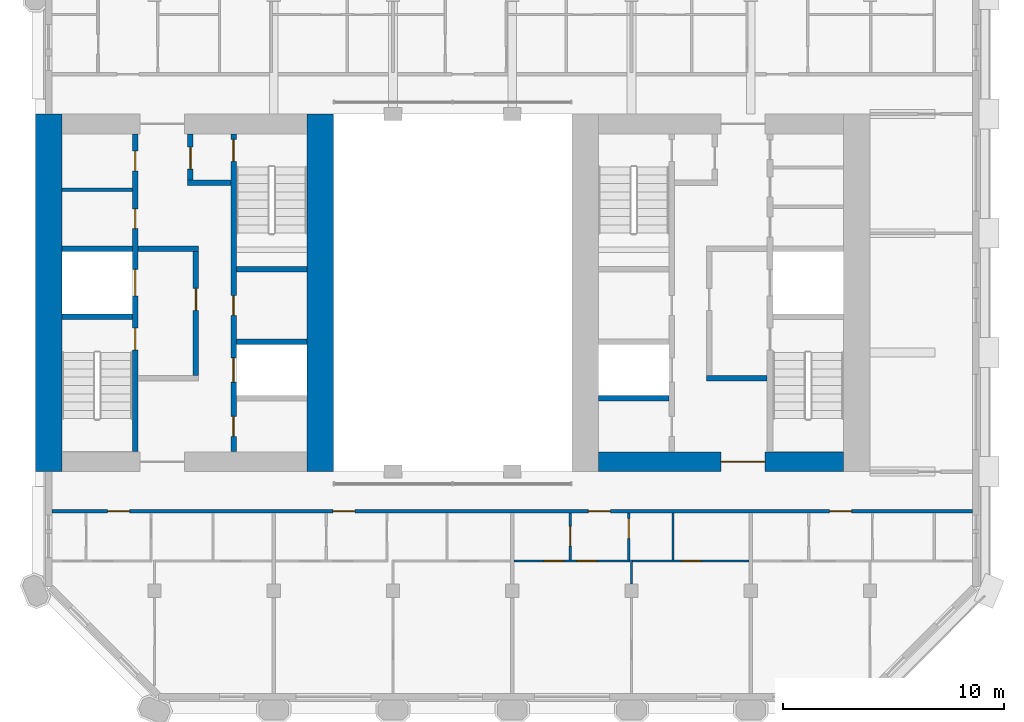
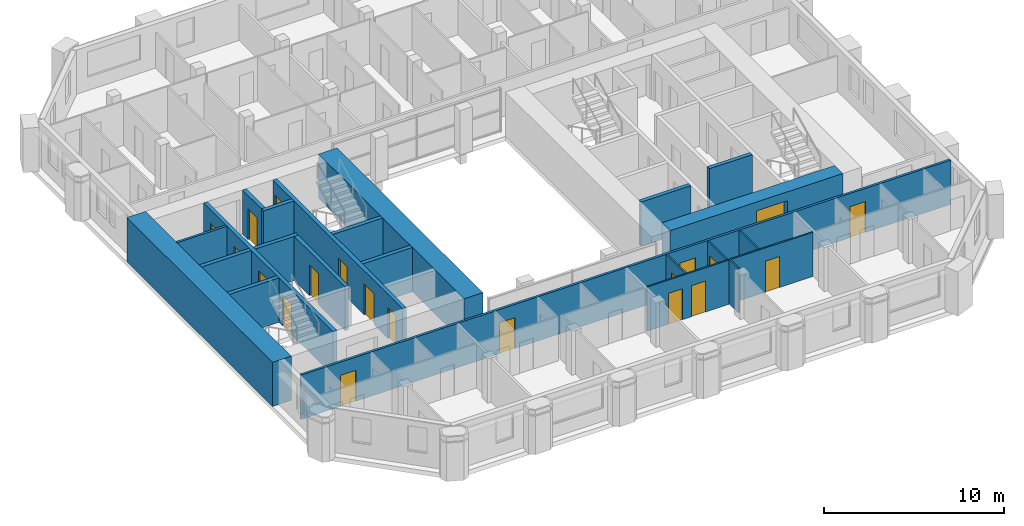
# One storey, part 5 of 13: 23 walls, 20 doors, 20 openings.
"""IFC4 building model written with IfcOpenShell, lengths in metres."""

from ifc_helpers import new_model, si_unit, direction, frame, frame_2d, origin, place, context, subcontext, project, spatial, rectangle, extrude, material, layer, layer_set, type_object, element, fill, save


model = new_model("IFC4")

# Units and contexts
model_context = context("Model", 3, precision=1e-05, world=origin(), true_north=direction((0.0, 1.0)))
body_context = subcontext(model_context, "Body", "Model", "MODEL_VIEW")
ifc_project = project(units=[si_unit("LENGTHUNIT", "METRE"), si_unit("AREAUNIT", "SQUARE_METRE"), si_unit("VOLUMEUNIT", "CUBIC_METRE"), si_unit("PLANEANGLEUNIT", "RADIAN"), si_unit("MASSUNIT", "GRAM", prefix="KILO")], contexts=[model_context])

# Site, building, storey
site_placement = place(None, origin())
site = spatial("IfcSite", under=ifc_project, at=site_placement, CompositionType="ELEMENT")
building_placement = place(site_placement, origin())
building = spatial("IfcBuilding", under=site, at=building_placement, Name="Tabaq Tower and Sports Hall", CompositionType="ELEMENT")
storey_placement = place(building_placement, frame((0.0, 0.0, 298.300048828125)))
storey = spatial("IfcBuildingStorey", under=building, at=storey_placement, Name="L74", CompositionType="ELEMENT", Elevation=298.300048828125)

# Walls
ifc_material_1 = material(Name="Blockwork", Category="masonry")
ifc_layer_1 = layer(ifc_material_1, 0.14990234375)
ifc_layer_set_1 = layer_set([ifc_layer_1], Name="Core room partition 150 Blockwork")
wall_type_1 = type_object("IfcWallType", Name="Core room partition 150 Blockwork", PredefinedType="PARTITIONING", material=ifc_layer_set_1)
wall_1_placement = place(storey_placement, frame((6.60009765625, 28.962890625, 0.0), z_axis=(0.0, 0.0, 1.0), x_axis=(1.0, 0.0, 0.0)))
element("IfcWall", 1, at=wall_1_placement, inside=storey, type_object=wall_type_1, Name="Core room partition W L74", PredefinedType="PARTITIONING", context=body_context, shape_type="SweptSolid", body=[
    extrude(rectangle(XDim=3.199951171875, YDim=0.14990234375, at=frame_2d((1.60009765625, 0.0))), origin(), (0.0, 0.0, 1.0), 3.0),
])
ifc_material_2 = material(Name="Concrete C40/50", Category="concrete")
ifc_layer_2 = layer(ifc_material_2, 1.199951171875)
ifc_layer_set_2 = layer_set([ifc_layer_2], Name="Core wall 1200 Concrete C40/50")
wall_type_2 = type_object("IfcWallType", Name="Core wall 1200 Concrete C40/50", PredefinedType="SOLIDWALL", material=ifc_layer_set_2)
for number, where, z_axis, x_axis, name in (
    (2, (6.0, 16.199951171875, 0.0), (0.0, 0.0, 1.0), (0.0, 1.0, 0.0), "Core wall W L74"),
    (3, (18.300048828125, 32.39990234375, 0.0), (0.0, 0.0, 1.0), (0.0, -1.0, 0.0), "Core wall W L74"),
):
    element("IfcWall", number, at=place(storey_placement, frame(where, z_axis=z_axis, x_axis=x_axis)), inside=storey, type_object=wall_type_2, Name=name, PredefinedType="SOLIDWALL", context=body_context, shape_type="SweptSolid", body=[
        extrude(rectangle(XDim=16.199951171875, YDim=1.199951171875, at=frame_2d((8.10009765625, 0.0))), origin(), (0.0, 0.0, 1.0), 3.0),
    ])

# Wall, opening, door
ifc_material_3 = material(Name="Concrete C40/50", Category="concrete")
ifc_layer_3 = layer(ifc_material_3, 0.89990234375)
ifc_layer_set_3 = layer_set([ifc_layer_3], Name="Core wall 900 Concrete C40/50")
wall_type_3 = type_object("IfcWallType", Name="Core wall 900 Concrete C40/50", PredefinedType="SOLIDWALL", material=ifc_layer_set_3)
wall_2_placement = place(storey_placement, frame((42.0, 16.64990234375, 0.0), z_axis=(0.0, 0.0, 1.0), x_axis=(-1.0, 0.0, 0.0)))
wall_2 = element("IfcWall", 4, at=wall_2_placement, inside=storey, type_object=wall_type_3, Name="Core wall E L74", PredefinedType="SOLIDWALL", context=body_context, shape_type="SweptSolid", body=[
    extrude(rectangle(XDim=11.10009765625, YDim=0.89990234375, at=frame_2d((5.550048828125, 0.0))), origin(), (0.0, 0.0, 1.0), 3.0),
])
opening_1_placement = place(wall_2_placement, frame((3.550048828125, 0.0, 0.0)))
opening_1 = element("IfcOpeningElement", 5, at=opening_1_placement, cuts=wall_2, Name="Opening PD-EL74-01", PredefinedType="OPENING", context=body_context, shape_type="SweptSolid", body=[
    extrude(rectangle(XDim=2.0, YDim=2.39990234375, at=frame_2d((1.0, 1.199951171875))), frame((0.0, 0.449951171875, 0.0), z_axis=(0.0, -1.0, 0.0), x_axis=(1.0, 0.0, 0.0)), (0.0, 0.0, 1.0), 0.89990234375),
])
ifc_material_4 = material(Name="Steel fire door", Category="steel")
door_type_1 = type_object("IfcDoorType", Name="Core entrance door 2000", OperationType="DOUBLE_DOOR_SINGLE_SWING", PredefinedType="DOOR", material=ifc_material_4)
door_1_placement = place(opening_1_placement, origin())
door_1 = element("IfcDoor", 6, at=door_1_placement, inside=storey, type_object=door_type_1, Name="Core entrance south E L74", OperationType="DOUBLE_DOOR_SINGLE_SWING", OverallHeight=2.39990234375, OverallWidth=2.0, PredefinedType="DOOR", context=body_context, shape_type="SweptSolid", body=[
    extrude(rectangle(XDim=2.0, YDim=2.39990234375, at=frame_2d((1.0, 1.199951171875))), frame((0.0, 0.02490234375, 0.0), z_axis=(0.0, -1.0, 0.0), x_axis=(1.0, 0.0, 0.0)), (0.0, 0.0, 1.0), 0.050048828125),
])
fill(opening_1, door_1)

# Wall
ifc_material_5 = material(Name="Gypsum board on steel studs", Category="steel")
ifc_layer_4 = layer(ifc_material_5, 0.10009765625)
ifc_layer_set_4 = layer_set([ifc_layer_4], Name="Partition 100 Gypsum board")
wall_type_4 = type_object("IfcWallType", Name="Partition 100 Gypsum board", PredefinedType="PARTITIONING", material=ifc_layer_set_4)
wall_3_placement = place(storey_placement, frame((32.39990234375, 11.1201171875, 0.0), z_axis=(0.0, 0.0, 1.0), x_axis=(0.0, 1.0, 0.0)))
element("IfcWall", 7, at=wall_3_placement, inside=storey, type_object=wall_type_4, Name="Partition wall L74", PredefinedType="PARTITIONING", context=body_context, shape_type="SweptSolid", body=[
    extrude(rectangle(XDim=1.079833984375, YDim=0.10009765625, at=frame_2d((0.5400390625, 0.0))), origin(), (0.0, 0.0, 1.0), 3.0),
])

# Wall, openings, doors
wall_4_placement = place(storey_placement, frame((32.324951171875, 12.14990234375, 0.0), z_axis=(0.0, 0.0, 1.0), x_axis=(-1.0, 0.0, 0.0)))
wall_4 = element("IfcWall", 8, at=wall_4_placement, inside=storey, type_object=wall_type_4, Name="Partition wall L74", PredefinedType="PARTITIONING", context=body_context, shape_type="SweptSolid", body=[
    extrude(rectangle(XDim=5.25, YDim=0.10009765625, at=frame_2d((2.625, 0.0))), origin(), (0.0, 0.0, 1.0), 3.0),
])
opening_2_placement = place(wall_4_placement, frame((3.0, 0.0, 0.0)))
opening_2 = element("IfcOpeningElement", 9, at=opening_2_placement, cuts=wall_4, Name="Opening L74-046", PredefinedType="OPENING", context=body_context, shape_type="SweptSolid", body=[
    extrude(rectangle(XDim=0.89990234375, YDim=2.10009765625, at=frame_2d((0.449951171875, 1.050048828125))), frame((0.0, 0.050048828125, 0.0), z_axis=(0.0, -1.0, 0.0), x_axis=(1.0, 0.0, 0.0)), (0.0, 0.0, 1.0), 0.10009765625),
])
opening_3_placement = place(wall_4_placement, frame((1.5, 0.0, 0.0)))
opening_3 = element("IfcOpeningElement", 10, at=opening_3_placement, cuts=wall_4, Name="Opening L74-057", PredefinedType="OPENING", context=body_context, shape_type="SweptSolid", body=[
    extrude(rectangle(XDim=0.89990234375, YDim=2.10009765625, at=frame_2d((0.449951171875, 1.050048828125))), frame((0.0, 0.050048828125, 0.0), z_axis=(0.0, -1.0, 0.0), x_axis=(1.0, 0.0, 0.0)), (0.0, 0.0, 1.0), 0.10009765625),
])
ifc_material_6 = material(Name="Timber leaf in steel frame", Category="steel")
door_type_2 = type_object("IfcDoorType", Name="Internal door 900 left hand", OperationType="SINGLE_SWING_LEFT", PredefinedType="DOOR", material=ifc_material_6)
door_2_placement = place(opening_3_placement, origin())
door_2 = element("IfcDoor", 11, at=door_2_placement, inside=storey, type_object=door_type_2, Name="Internal door L74-057", OperationType="SINGLE_SWING_LEFT", OverallHeight=2.10009765625, OverallWidth=0.89990234375, PredefinedType="DOOR", context=body_context, shape_type="SweptSolid", body=[
    extrude(rectangle(XDim=0.89990234375, YDim=2.10009765625, at=frame_2d((0.449951171875, 1.050048828125))), frame((0.0, 0.02490234375, 0.0), z_axis=(0.0, -1.0, 0.0), x_axis=(1.0, 0.0, 0.0)), (0.0, 0.0, 1.0), 0.050048828125),
])
fill(opening_3, door_2)
ifc_material_7 = material(Name="Timber leaf in steel frame", Category="steel")
door_type_3 = type_object("IfcDoorType", Name="Internal door 900 right hand", OperationType="SINGLE_SWING_RIGHT", PredefinedType="DOOR", material=ifc_material_7)
door_3_placement = place(opening_2_placement, origin())
door_3 = element("IfcDoor", 12, at=door_3_placement, inside=storey, type_object=door_type_3, Name="Internal door L74-046", OperationType="SINGLE_SWING_RIGHT", OverallHeight=2.10009765625, OverallWidth=0.89990234375, PredefinedType="DOOR", context=body_context, shape_type="SweptSolid", body=[
    extrude(rectangle(XDim=0.89990234375, YDim=2.10009765625, at=frame_2d((0.449951171875, 1.050048828125))), frame((0.0, 0.02490234375, 0.0), z_axis=(0.0, -1.0, 0.0), x_axis=(1.0, 0.0, 0.0)), (0.0, 0.0, 1.0), 0.050048828125),
])
fill(opening_2, door_3)

# Wall, opening, door
wall_5_placement = place(storey_placement, frame((37.72509765625, 12.14990234375, 0.0), z_axis=(0.0, 0.0, 1.0), x_axis=(-1.0, 0.0, 0.0)))
wall_5 = element("IfcWall", 13, at=wall_5_placement, inside=storey, type_object=wall_type_4, Name="Partition wall L74", PredefinedType="PARTITIONING", context=body_context, shape_type="SweptSolid", body=[
    extrude(rectangle(XDim=5.275146484375, YDim=0.10009765625, at=frame_2d((2.6376953125, 0.0))), origin(), (0.0, 0.0, 1.0), 3.0),
])
opening_4_placement = place(wall_5_placement, frame((2.155029296875, 0.0, 0.0)))
opening_4 = element("IfcOpeningElement", 14, at=opening_4_placement, cuts=wall_5, Name="Opening L74-023", PredefinedType="OPENING", context=body_context, shape_type="SweptSolid", body=[
    extrude(rectangle(XDim=0.89990234375, YDim=2.10009765625, at=frame_2d((0.449951171875, 1.050048828125))), frame((0.0, 0.050048828125, 0.0), z_axis=(0.0, -1.0, 0.0), x_axis=(1.0, 0.0, 0.0)), (0.0, 0.0, 1.0), 0.10009765625),
])
door_4_placement = place(opening_4_placement, origin())
door_4 = element("IfcDoor", 15, at=door_4_placement, inside=storey, type_object=door_type_2, Name="Internal door L74-023", OperationType="SINGLE_SWING_LEFT", OverallHeight=2.10009765625, OverallWidth=0.89990234375, PredefinedType="DOOR", context=body_context, shape_type="SweptSolid", body=[
    extrude(rectangle(XDim=0.89990234375, YDim=2.10009765625, at=frame_2d((0.449951171875, 1.050048828125))), frame((0.0, 0.02490234375, 0.0), z_axis=(0.0, -1.0, 0.0), x_axis=(1.0, 0.0, 0.0)), (0.0, 0.0, 1.0), 0.050048828125),
])
fill(opening_4, door_4)

wall_6_placement = place(storey_placement, frame((29.625, 12.199951171875, 0.0), z_axis=(0.0, 0.0, 1.0), x_axis=(0.0, 1.0, 0.0)))
wall_6 = element("IfcWall", 16, at=wall_6_placement, inside=storey, type_object=wall_type_4, Name="Partition wall L74", PredefinedType="PARTITIONING", context=body_context, shape_type="SweptSolid", body=[
    extrude(rectangle(XDim=2.125, YDim=0.10009765625, at=frame_2d((1.0625, 0.0))), origin(), (0.0, 0.0, 1.0), 3.0),
])
opening_5_placement = place(wall_6_placement, frame((0.625, 0.0, 0.0)))
opening_5 = element("IfcOpeningElement", 17, at=opening_5_placement, cuts=wall_6, Name="Opening L74-047", PredefinedType="OPENING", context=body_context, shape_type="SweptSolid", body=[
    extrude(rectangle(XDim=0.89990234375, YDim=2.10009765625, at=frame_2d((0.449951171875, 1.050048828125))), frame((0.0, 0.050048828125, 0.0), z_axis=(0.0, -1.0, 0.0), x_axis=(1.0, 0.0, 0.0)), (0.0, 0.0, 1.0), 0.10009765625),
])
door_5_placement = place(opening_5_placement, origin())
door_5 = element("IfcDoor", 18, at=door_5_placement, inside=storey, type_object=door_type_3, Name="Internal door L74-047", OperationType="SINGLE_SWING_RIGHT", OverallHeight=2.10009765625, OverallWidth=0.89990234375, PredefinedType="DOOR", context=body_context, shape_type="SweptSolid", body=[
    extrude(rectangle(XDim=0.89990234375, YDim=2.10009765625, at=frame_2d((0.449951171875, 1.050048828125))), frame((0.0, 0.02490234375, 0.0), z_axis=(0.0, -1.0, 0.0), x_axis=(1.0, 0.0, 0.0)), (0.0, 0.0, 1.0), 0.050048828125),
])
fill(opening_5, door_5)

wall_7_placement = place(storey_placement, frame((32.27490234375, 12.199951171875, 0.0), z_axis=(0.0, 0.0, 1.0), x_axis=(0.0, 1.0, 0.0)))
wall_7 = element("IfcWall", 19, at=wall_7_placement, inside=storey, type_object=wall_type_4, Name="Partition wall L74", PredefinedType="PARTITIONING", context=body_context, shape_type="SweptSolid", body=[
    extrude(rectangle(XDim=2.125, YDim=0.10009765625, at=frame_2d((1.0625, 0.0))), origin(), (0.0, 0.0, 1.0), 3.0),
])
opening_6_placement = place(wall_7_placement, frame((0.97509765625, 0.0, 0.0)))
opening_6 = element("IfcOpeningElement", 20, at=opening_6_placement, cuts=wall_7, Name="Opening L74-024", PredefinedType="OPENING", context=body_context, shape_type="SweptSolid", body=[
    extrude(rectangle(XDim=0.89990234375, YDim=2.10009765625, at=frame_2d((0.449951171875, 1.050048828125))), frame((0.0, 0.050048828125, 0.0), z_axis=(0.0, -1.0, 0.0), x_axis=(1.0, 0.0, 0.0)), (0.0, 0.0, 1.0), 0.10009765625),
])
door_6_placement = place(opening_6_placement, origin())
door_6 = element("IfcDoor", 21, at=door_6_placement, inside=storey, type_object=door_type_3, Name="Internal door L74-024", OperationType="SINGLE_SWING_RIGHT", OverallHeight=2.10009765625, OverallWidth=0.89990234375, PredefinedType="DOOR", context=body_context, shape_type="SweptSolid", body=[
    extrude(rectangle(XDim=0.89990234375, YDim=2.10009765625, at=frame_2d((0.449951171875, 1.050048828125))), frame((0.0, 0.02490234375, 0.0), z_axis=(0.0, -1.0, 0.0), x_axis=(1.0, 0.0, 0.0)), (0.0, 0.0, 1.0), 0.050048828125),
])
fill(opening_6, door_6)

# Wall
wall_8_placement = place(storey_placement, frame((34.285888671875, 12.199951171875, 0.0), z_axis=(0.0, 0.0, 1.0), x_axis=(0.0, 1.0, 0.0)))
element("IfcWall", 22, at=wall_8_placement, inside=storey, type_object=wall_type_4, Name="Partition wall L74", PredefinedType="PARTITIONING", context=body_context, shape_type="SweptSolid", body=[
    extrude(rectangle(XDim=2.125, YDim=0.10009765625, at=frame_2d((1.0625, 0.0))), origin(), (0.0, 0.0, 1.0), 3.0),
])

# Wall, openings, doors
ifc_material_8 = material(Name="Blockwork", Category="masonry")
ifc_layer_5 = layer(ifc_material_8, 0.14990234375)
ifc_layer_set_5 = layer_set([ifc_layer_5], Name="Separating wall 150 Blockwork")
wall_type_5 = type_object("IfcWallType", Name="Separating wall 150 Blockwork", PredefinedType="PARTITIONING", material=ifc_layer_set_5)
wall_9_placement = place(storey_placement, frame((47.84912109375, 14.39990234375, 0.0), z_axis=(0.0, 0.0, 1.0), x_axis=(-1.0, 0.0, 0.0)))
wall_9 = element("IfcWall", 23, at=wall_9_placement, inside=storey, type_object=wall_type_5, Name="Separating wall L74", PredefinedType="PARTITIONING", context=body_context, shape_type="SweptSolid", body=[
    extrude(rectangle(XDim=41.6982421875, YDim=0.14990234375, at=frame_2d((20.84912109375, 0.0))), origin(), (0.0, 0.0, 1.0), 3.0),
])
opening_7_placement = place(wall_9_placement, frame((38.178955078125, 0.0, 0.0)))
opening_7 = element("IfcOpeningElement", 24, at=opening_7_placement, cuts=wall_9, Name="Opening L74-060", PredefinedType="OPENING", context=body_context, shape_type="SweptSolid", body=[
    extrude(rectangle(XDim=1.0, YDim=2.10009765625, at=frame_2d((0.5, 1.050048828125))), frame((0.0, 0.074951171875, 0.0), z_axis=(0.0, -1.0, 0.0), x_axis=(1.0, 0.0, 0.0)), (0.0, 0.0, 1.0), 0.14990234375),
])
opening_8_placement = place(wall_9_placement, frame((27.97705078125, 0.0, 0.0)))
opening_8 = element("IfcOpeningElement", 25, at=opening_8_placement, cuts=wall_9, Name="Opening L74-061", PredefinedType="OPENING", context=body_context, shape_type="SweptSolid", body=[
    extrude(rectangle(XDim=1.0, YDim=2.10009765625, at=frame_2d((0.5, 1.050048828125))), frame((0.0, 0.074951171875, 0.0), z_axis=(0.0, -1.0, 0.0), x_axis=(1.0, 0.0, 0.0)), (0.0, 0.0, 1.0), 0.14990234375),
])
opening_9_placement = place(wall_9_placement, frame((16.39892578125, 0.0, 0.0)))
opening_9 = element("IfcOpeningElement", 26, at=opening_9_placement, cuts=wall_9, Name="Opening L74-062", PredefinedType="OPENING", context=body_context, shape_type="SweptSolid", body=[
    extrude(rectangle(XDim=1.0, YDim=2.10009765625, at=frame_2d((0.5, 1.050048828125))), frame((0.0, 0.074951171875, 0.0), z_axis=(0.0, -1.0, 0.0), x_axis=(1.0, 0.0, 0.0)), (0.0, 0.0, 1.0), 0.14990234375),
])
opening_10_placement = place(wall_9_placement, frame((5.47607421875, 0.0, 0.0)))
opening_10 = element("IfcOpeningElement", 27, at=opening_10_placement, cuts=wall_9, Name="Opening L74-063", PredefinedType="OPENING", context=body_context, shape_type="SweptSolid", body=[
    extrude(rectangle(XDim=1.0, YDim=2.10009765625, at=frame_2d((0.5, 1.050048828125))), frame((0.0, 0.074951171875, 0.0), z_axis=(0.0, -1.0, 0.0), x_axis=(1.0, 0.0, 0.0)), (0.0, 0.0, 1.0), 0.14990234375),
])
ifc_material_9 = material(Name="Steel fire door", Category="steel")
door_type_4 = type_object("IfcDoorType", Name="Entrance door 1000 left hand", OperationType="SINGLE_SWING_LEFT", PredefinedType="DOOR", material=ifc_material_9)
door_7_placement = place(opening_9_placement, origin())
door_7 = element("IfcDoor", 28, at=door_7_placement, inside=storey, type_object=door_type_4, Name="Entrance door L74-062", OperationType="SINGLE_SWING_LEFT", OverallHeight=2.10009765625, OverallWidth=1.0, PredefinedType="DOOR", context=body_context, shape_type="SweptSolid", body=[
    extrude(rectangle(XDim=1.0, YDim=2.10009765625, at=frame_2d((0.5, 1.050048828125))), frame((0.0, 0.02490234375, 0.0), z_axis=(0.0, -1.0, 0.0), x_axis=(1.0, 0.0, 0.0)), (0.0, 0.0, 1.0), 0.050048828125),
])
fill(opening_9, door_7)
door_8_placement = place(opening_10_placement, origin())
door_8 = element("IfcDoor", 29, at=door_8_placement, inside=storey, type_object=door_type_4, Name="Entrance door L74-063", OperationType="SINGLE_SWING_LEFT", OverallHeight=2.10009765625, OverallWidth=1.0, PredefinedType="DOOR", context=body_context, shape_type="SweptSolid", body=[
    extrude(rectangle(XDim=1.0, YDim=2.10009765625, at=frame_2d((0.5, 1.050048828125))), frame((0.0, 0.02490234375, 0.0), z_axis=(0.0, -1.0, 0.0), x_axis=(1.0, 0.0, 0.0)), (0.0, 0.0, 1.0), 0.050048828125),
])
fill(opening_10, door_8)
ifc_material_10 = material(Name="Steel fire door", Category="steel")
door_type_5 = type_object("IfcDoorType", Name="Entrance door 1000 right hand", OperationType="SINGLE_SWING_RIGHT", PredefinedType="DOOR", material=ifc_material_10)
door_9_placement = place(opening_7_placement, origin())
door_9 = element("IfcDoor", 30, at=door_9_placement, inside=storey, type_object=door_type_5, Name="Entrance door L74-060", OperationType="SINGLE_SWING_RIGHT", OverallHeight=2.10009765625, OverallWidth=1.0, PredefinedType="DOOR", context=body_context, shape_type="SweptSolid", body=[
    extrude(rectangle(XDim=1.0, YDim=2.10009765625, at=frame_2d((0.5, 1.050048828125))), frame((0.0, 0.02490234375, 0.0), z_axis=(0.0, -1.0, 0.0), x_axis=(1.0, 0.0, 0.0)), (0.0, 0.0, 1.0), 0.050048828125),
])
fill(opening_7, door_9)
door_10_placement = place(opening_8_placement, origin())
door_10 = element("IfcDoor", 31, at=door_10_placement, inside=storey, type_object=door_type_5, Name="Entrance door L74-061", OperationType="SINGLE_SWING_RIGHT", OverallHeight=2.10009765625, OverallWidth=1.0, PredefinedType="DOOR", context=body_context, shape_type="SweptSolid", body=[
    extrude(rectangle(XDim=1.0, YDim=2.10009765625, at=frame_2d((0.5, 1.050048828125))), frame((0.0, 0.02490234375, 0.0), z_axis=(0.0, -1.0, 0.0), x_axis=(1.0, 0.0, 0.0)), (0.0, 0.0, 1.0), 0.050048828125),
])
fill(opening_8, door_10)

ifc_material_11 = material(Name="Concrete C40/50", Category="concrete")
ifc_layer_6 = layer(ifc_material_11, 0.25)
ifc_layer_set_6 = layer_set([ifc_layer_6], Name="Shaft and stair wall 250 Concrete C40/50")
wall_type_6 = type_object("IfcWallType", Name="Shaft and stair wall 250 Concrete C40/50", PredefinedType="SOLIDWALL", material=ifc_layer_set_6)
wall_10_placement = place(storey_placement, frame((9.925048828125, 17.10009765625, 0.0), z_axis=(0.0, 0.0, 1.0), x_axis=(0.0, 1.0, 0.0)))
wall_10 = element("IfcWall", 32, at=wall_10_placement, inside=storey, type_object=wall_type_6, Name="Shaft wall W L74", PredefinedType="SOLIDWALL", context=body_context, shape_type="SweptSolid", body=[
    extrude(rectangle(XDim=14.39990234375, YDim=0.25, at=frame_2d((7.199951171875, 0.0))), origin(), (0.0, 0.0, 1.0), 3.0),
])
opening_11_placement = place(wall_10_placement, frame((4.60009765625, 0.0, 0.0)))
opening_11 = element("IfcOpeningElement", 33, at=opening_11_placement, cuts=wall_10, Name="Opening SD-WL74-03", PredefinedType="OPENING", context=body_context, shape_type="SweptSolid", body=[
    extrude(rectangle(XDim=1.0, YDim=2.10009765625, at=frame_2d((0.5, 1.050048828125))), frame((0.0, 0.125, 0.0), z_axis=(0.0, -1.0, 0.0), x_axis=(1.0, 0.0, 0.0)), (0.0, 0.0, 1.0), 0.25),
])
opening_12_placement = place(wall_10_placement, frame((7.0625, 0.0, 0.0)))
opening_12 = element("IfcOpeningElement", 34, at=opening_12_placement, cuts=wall_10, Name="Opening LD-FF1-L74", PredefinedType="OPENING", context=body_context, shape_type="SweptSolid", body=[
    extrude(rectangle(XDim=1.199951171875, YDim=2.10009765625, at=frame_2d((0.60009765625, 1.050048828125))), frame((0.0, 0.125, 0.0), z_axis=(0.0, -1.0, 0.0), x_axis=(1.0, 0.0, 0.0)), (0.0, 0.0, 1.0), 0.25),
])
opening_13_placement = place(wall_10_placement, frame((10.1064453125, 0.0, 0.0)))
opening_13 = element("IfcOpeningElement", 35, at=opening_13_placement, cuts=wall_10, Name="Opening RD-WL74-09", PredefinedType="OPENING", context=body_context, shape_type="SweptSolid", body=[
    extrude(rectangle(XDim=0.89990234375, YDim=2.10009765625, at=frame_2d((0.449951171875, 1.050048828125))), frame((0.0, 0.125, 0.0), z_axis=(0.0, -1.0, 0.0), x_axis=(1.0, 0.0, 0.0)), (0.0, 0.0, 1.0), 0.25),
])
opening_14_placement = place(wall_10_placement, frame((12.718994140625, 0.0, 0.0)))
opening_14 = element("IfcOpeningElement", 36, at=opening_14_placement, cuts=wall_10, Name="Opening RD-WL74-10", PredefinedType="OPENING", context=body_context, shape_type="SweptSolid", body=[
    extrude(rectangle(XDim=0.89990234375, YDim=2.10009765625, at=frame_2d((0.449951171875, 1.050048828125))), frame((0.0, 0.125, 0.0), z_axis=(0.0, -1.0, 0.0), x_axis=(1.0, 0.0, 0.0)), (0.0, 0.0, 1.0), 0.25),
])
ifc_material_12 = material(Name="Steel fire door", Category="steel")
door_type_6 = type_object("IfcDoorType", Name="Core room door 900", OperationType="SINGLE_SWING_LEFT", PredefinedType="DOOR", material=ifc_material_12)
door_11_placement = place(opening_13_placement, origin())
door_11 = element("IfcDoor", 37, at=door_11_placement, inside=storey, type_object=door_type_6, Name="Door Housekeeping Store W L74", OperationType="SINGLE_SWING_LEFT", OverallHeight=2.10009765625, OverallWidth=0.89990234375, PredefinedType="DOOR", context=body_context, shape_type="SweptSolid", body=[
    extrude(rectangle(XDim=0.89990234375, YDim=2.10009765625, at=frame_2d((0.449951171875, 1.050048828125))), frame((0.0, 0.02490234375, 0.0), z_axis=(0.0, -1.0, 0.0), x_axis=(1.0, 0.0, 0.0)), (0.0, 0.0, 1.0), 0.050048828125),
])
fill(opening_13, door_11)
door_12_placement = place(opening_14_placement, origin())
door_12 = element("IfcDoor", 38, at=door_12_placement, inside=storey, type_object=door_type_6, Name="Door Riser Room W L74", OperationType="SINGLE_SWING_LEFT", OverallHeight=2.10009765625, OverallWidth=0.89990234375, PredefinedType="DOOR", context=body_context, shape_type="SweptSolid", body=[
    extrude(rectangle(XDim=0.89990234375, YDim=2.10009765625, at=frame_2d((0.449951171875, 1.050048828125))), frame((0.0, 0.02490234375, 0.0), z_axis=(0.0, -1.0, 0.0), x_axis=(1.0, 0.0, 0.0)), (0.0, 0.0, 1.0), 0.050048828125),
])
fill(opening_14, door_12)
ifc_material_13 = material(Name="Stainless steel", Category="steel")
door_type_7 = type_object("IfcDoorType", Name="Lift landing door 1200", OperationType="DOUBLE_DOOR_SLIDING", PredefinedType="DOOR", material=ifc_material_13)
door_13_placement = place(opening_12_placement, origin())
door_13 = element("IfcDoor", 39, at=door_13_placement, inside=storey, type_object=door_type_7, Name="Lift landing door FF1 W L74", OperationType="DOUBLE_DOOR_SLIDING", OverallHeight=2.10009765625, OverallWidth=1.199951171875, PredefinedType="DOOR", context=body_context, shape_type="SweptSolid", body=[
    extrude(rectangle(XDim=1.199951171875, YDim=2.10009765625, at=frame_2d((0.60009765625, 1.050048828125))), frame((0.0, 0.02490234375, 0.0), z_axis=(0.0, -1.0, 0.0), x_axis=(1.0, 0.0, 0.0)), (0.0, 0.0, 1.0), 0.050048828125),
])
fill(opening_12, door_13)
ifc_material_14 = material(Name="Steel fire door", Category="steel")
door_type_8 = type_object("IfcDoorType", Name="Stair door 1000", OperationType="SINGLE_SWING_LEFT", PredefinedType="DOOR", material=ifc_material_14)
door_14_placement = place(opening_11_placement, origin())
door_14 = element("IfcDoor", 40, at=door_14_placement, inside=storey, type_object=door_type_8, Name="Stair door ST1 W L74", OperationType="SINGLE_SWING_LEFT", OverallHeight=2.10009765625, OverallWidth=1.0, PredefinedType="DOOR", context=body_context, shape_type="SweptSolid", body=[
    extrude(rectangle(XDim=1.0, YDim=2.10009765625, at=frame_2d((0.5, 1.050048828125))), frame((0.0, 0.02490234375, 0.0), z_axis=(0.0, -1.0, 0.0), x_axis=(1.0, 0.0, 0.0)), (0.0, 0.0, 1.0), 0.050048828125),
])
fill(opening_11, door_14)

wall_11_placement = place(storey_placement, frame((14.375, 17.10009765625, 0.0), z_axis=(0.0, 0.0, 1.0), x_axis=(0.0, 1.0, 0.0)))
wall_11 = element("IfcWall", 41, at=wall_11_placement, inside=storey, type_object=wall_type_6, Name="Shaft wall W L74", PredefinedType="SOLIDWALL", context=body_context, shape_type="SweptSolid", body=[
    extrude(rectangle(XDim=14.39990234375, YDim=0.25, at=frame_2d((7.199951171875, 0.0))), origin(), (0.0, 0.0, 1.0), 3.0),
])
opening_15_placement = place(wall_11_placement, frame((13.14990234375, 0.0, 0.0)))
opening_15 = element("IfcOpeningElement", 42, at=opening_15_placement, cuts=wall_11, Name="Opening SD-WL74-05", PredefinedType="OPENING", context=body_context, shape_type="SweptSolid", body=[
    extrude(rectangle(XDim=1.0, YDim=2.10009765625, at=frame_2d((0.5, 1.050048828125))), frame((0.0, 0.125, 0.0), z_axis=(0.0, -1.0, 0.0), x_axis=(1.0, 0.0, 0.0)), (0.0, 0.0, 1.0), 0.25),
])
opening_16_placement = place(wall_11_placement, frame((3.14990234375, 0.0, 0.0)))
opening_16 = element("IfcOpeningElement", 43, at=opening_16_placement, cuts=wall_11, Name="Opening LD-HR1-L74", PredefinedType="OPENING", context=body_context, shape_type="SweptSolid", body=[
    extrude(rectangle(XDim=1.10009765625, YDim=2.10009765625, at=frame_2d((0.550048828125, 1.050048828125))), frame((0.0, 0.125, 0.0), z_axis=(0.0, -1.0, 0.0), x_axis=(1.0, 0.0, 0.0)), (0.0, 0.0, 1.0), 0.25),
])
opening_17_placement = place(wall_11_placement, frame((0.699951171875, 0.0, 0.0)))
opening_17 = element("IfcOpeningElement", 44, at=opening_17_placement, cuts=wall_11, Name="Opening RD-WL74-11", PredefinedType="OPENING", context=body_context, shape_type="SweptSolid", body=[
    extrude(rectangle(XDim=0.89990234375, YDim=2.10009765625, at=frame_2d((0.449951171875, 1.050048828125))), frame((0.0, 0.125, 0.0), z_axis=(0.0, -1.0, 0.0), x_axis=(1.0, 0.0, 0.0)), (0.0, 0.0, 1.0), 0.25),
])
opening_18_placement = place(wall_11_placement, frame((6.175048828125, 0.0, 0.0)))
opening_18 = element("IfcOpeningElement", 45, at=opening_18_placement, cuts=wall_11, Name="Opening RD-WL74-12", PredefinedType="OPENING", context=body_context, shape_type="SweptSolid", body=[
    extrude(rectangle(XDim=0.89990234375, YDim=2.10009765625, at=frame_2d((0.449951171875, 1.050048828125))), frame((0.0, 0.125, 0.0), z_axis=(0.0, -1.0, 0.0), x_axis=(1.0, 0.0, 0.0)), (0.0, 0.0, 1.0), 0.25),
])
door_15_placement = place(opening_17_placement, origin())
door_15 = element("IfcDoor", 46, at=door_15_placement, inside=storey, type_object=door_type_6, Name="Door Electrical Riser Room W L74", OperationType="SINGLE_SWING_LEFT", OverallHeight=2.10009765625, OverallWidth=0.89990234375, PredefinedType="DOOR", context=body_context, shape_type="SweptSolid", body=[
    extrude(rectangle(XDim=0.89990234375, YDim=2.10009765625, at=frame_2d((0.449951171875, 1.050048828125))), frame((0.0, 0.02490234375, 0.0), z_axis=(0.0, -1.0, 0.0), x_axis=(1.0, 0.0, 0.0)), (0.0, 0.0, 1.0), 0.050048828125),
])
fill(opening_17, door_15)
door_16_placement = place(opening_18_placement, origin())
door_16 = element("IfcDoor", 47, at=door_16_placement, inside=storey, type_object=door_type_6, Name="Door Riser Room W L74", OperationType="SINGLE_SWING_LEFT", OverallHeight=2.10009765625, OverallWidth=0.89990234375, PredefinedType="DOOR", context=body_context, shape_type="SweptSolid", body=[
    extrude(rectangle(XDim=0.89990234375, YDim=2.10009765625, at=frame_2d((0.449951171875, 1.050048828125))), frame((0.0, 0.02490234375, 0.0), z_axis=(0.0, -1.0, 0.0), x_axis=(1.0, 0.0, 0.0)), (0.0, 0.0, 1.0), 0.050048828125),
])
fill(opening_18, door_16)
ifc_material_15 = material(Name="Stainless steel", Category="steel")
door_type_9 = type_object("IfcDoorType", Name="Lift landing door 1100", OperationType="DOUBLE_DOOR_SLIDING", PredefinedType="DOOR", material=ifc_material_15)
door_17_placement = place(opening_16_placement, origin())
door_17 = element("IfcDoor", 48, at=door_17_placement, inside=storey, type_object=door_type_9, Name="Lift landing door HR1 W L74", OperationType="DOUBLE_DOOR_SLIDING", OverallHeight=2.10009765625, OverallWidth=1.10009765625, PredefinedType="DOOR", context=body_context, shape_type="SweptSolid", body=[
    extrude(rectangle(XDim=1.10009765625, YDim=2.10009765625, at=frame_2d((0.550048828125, 1.050048828125))), frame((0.0, 0.02490234375, 0.0), z_axis=(0.0, -1.0, 0.0), x_axis=(1.0, 0.0, 0.0)), (0.0, 0.0, 1.0), 0.050048828125),
])
fill(opening_16, door_17)
door_18_placement = place(opening_15_placement, origin())
door_18 = element("IfcDoor", 49, at=door_18_placement, inside=storey, type_object=door_type_8, Name="Stair door ST2 W L74", OperationType="SINGLE_SWING_LEFT", OverallHeight=2.10009765625, OverallWidth=1.0, PredefinedType="DOOR", context=body_context, shape_type="SweptSolid", body=[
    extrude(rectangle(XDim=1.0, YDim=2.10009765625, at=frame_2d((0.5, 1.050048828125))), frame((0.0, 0.02490234375, 0.0), z_axis=(0.0, -1.0, 0.0), x_axis=(1.0, 0.0, 0.0)), (0.0, 0.0, 1.0), 0.050048828125),
])
fill(opening_15, door_18)

# Walls
for number, where, z_axis, x_axis, name in (
    (50, (6.60009765625, 23.22509765625, 0.0), (0.0, 0.0, 1.0), (1.0, 0.0, 0.0), "Stair enclosure wall W L74"),
    (51, (14.5, 25.375, 0.0), (0.0, 0.0, 1.0), (1.0, 0.0, 0.0), "Stair enclosure wall W L74"),
    (52, (14.5, 22.074951171875, 0.0), (0.0, 0.0, 1.0), (1.0, 0.0, 0.0), "Shaft wall W L74"),
    (53, (6.60009765625, 26.300048828125, 0.0), (0.0, 0.0, 1.0), (1.0, 0.0, 0.0), "Shaft wall W L74"),
):
    element("IfcWall", number, at=place(storey_placement, frame(where, z_axis=z_axis, x_axis=x_axis)), inside=storey, type_object=wall_type_6, Name=name, PredefinedType="SOLIDWALL", context=body_context, shape_type="SweptSolid", body=[
        extrude(rectangle(XDim=3.199951171875, YDim=0.25, at=frame_2d((1.60009765625, 0.0))), origin(), (0.0, 0.0, 1.0), 3.0),
    ])
wall_12_placement = place(storey_placement, frame((10.050048828125, 26.300048828125, 0.0), z_axis=(0.0, 0.0, 1.0), x_axis=(1.0, 0.0, 0.0)))
element("IfcWall", 54, at=wall_12_placement, inside=storey, type_object=wall_type_6, Name="Fire-fighting lobby wall W L74", PredefinedType="SOLIDWALL", context=body_context, shape_type="SweptSolid", body=[
    extrude(rectangle(XDim=2.75, YDim=0.25, at=frame_2d((1.375, 0.0))), origin(), (0.0, 0.0, 1.0), 3.0),
])

# Wall, opening, door
wall_13_placement = place(storey_placement, frame((12.425048828125, 29.39990234375, 0.0), z_axis=(0.0, 0.0, 1.0), x_axis=(0.0, 1.0, 0.0)))
wall_13 = element("IfcWall", 55, at=wall_13_placement, inside=storey, type_object=wall_type_6, Name="Fire-fighting lobby wall W L74", PredefinedType="SOLIDWALL", context=body_context, shape_type="SweptSolid", body=[
    extrude(rectangle(XDim=2.10009765625, YDim=0.25, at=frame_2d((1.050048828125, 0.0))), origin(), (0.0, 0.0, 1.0), 3.0),
])
opening_19_placement = place(wall_13_placement, frame((0.5, 0.0, 0.0)))
opening_19 = element("IfcOpeningElement", 56, at=opening_19_placement, cuts=wall_13, Name="Opening FD-WL74-06", PredefinedType="OPENING", context=body_context, shape_type="SweptSolid", body=[
    extrude(rectangle(XDim=1.0, YDim=2.10009765625, at=frame_2d((0.5, 1.050048828125))), frame((0.0, 0.125, 0.0), z_axis=(0.0, -1.0, 0.0), x_axis=(1.0, 0.0, 0.0)), (0.0, 0.0, 1.0), 0.25),
])
ifc_material_16 = material(Name="Steel fire door", Category="steel")
door_type_10 = type_object("IfcDoorType", Name="Fire-fighting lobby door 1000", OperationType="SINGLE_SWING_LEFT", PredefinedType="DOOR", material=ifc_material_16)
door_19_placement = place(opening_19_placement, origin())
door_19 = element("IfcDoor", 57, at=door_19_placement, inside=storey, type_object=door_type_10, Name="Stair lobby door W L74", OperationType="SINGLE_SWING_LEFT", OverallHeight=2.10009765625, OverallWidth=1.0, PredefinedType="DOOR", context=body_context, shape_type="SweptSolid", body=[
    extrude(rectangle(XDim=1.0, YDim=2.10009765625, at=frame_2d((0.5, 1.050048828125))), frame((0.0, 0.02490234375, 0.0), z_axis=(0.0, -1.0, 0.0), x_axis=(1.0, 0.0, 0.0)), (0.0, 0.0, 1.0), 0.050048828125),
])
fill(opening_19, door_19)

# Wall
wall_14_placement = place(storey_placement, frame((12.300048828125, 29.27490234375, 0.0), z_axis=(0.0, 0.0, 1.0), x_axis=(1.0, 0.0, 0.0)))
element("IfcWall", 58, at=wall_14_placement, inside=storey, type_object=wall_type_6, Name="Fire-fighting lobby wall W L74", PredefinedType="SOLIDWALL", context=body_context, shape_type="SweptSolid", body=[
    extrude(rectangle(XDim=1.949951171875, YDim=0.25, at=frame_2d((0.97509765625, 0.0))), origin(), (0.0, 0.0, 1.0), 3.0),
])

# Wall, opening, door
wall_15_placement = place(storey_placement, frame((12.675048828125, 20.550048828125, 0.0), z_axis=(0.0, 0.0, 1.0), x_axis=(0.0, 1.0, 0.0)))
wall_15 = element("IfcWall", 59, at=wall_15_placement, inside=storey, type_object=wall_type_6, Name="Fire-fighting lobby wall W L74", PredefinedType="SOLIDWALL", context=body_context, shape_type="SweptSolid", body=[
    extrude(rectangle(XDim=5.625, YDim=0.25, at=frame_2d((2.8125, 0.0))), origin(), (0.0, 0.0, 1.0), 3.0),
])
opening_20_placement = place(wall_15_placement, frame((2.949951171875, 0.0, 0.0)))
opening_20 = element("IfcOpeningElement", 60, at=opening_20_placement, cuts=wall_15, Name="Opening FD-WL74-04", PredefinedType="OPENING", context=body_context, shape_type="SweptSolid", body=[
    extrude(rectangle(XDim=1.0, YDim=2.10009765625, at=frame_2d((0.5, 1.050048828125))), frame((0.0, 0.125, 0.0), z_axis=(0.0, -1.0, 0.0), x_axis=(1.0, 0.0, 0.0)), (0.0, 0.0, 1.0), 0.25),
])
door_20_placement = place(opening_20_placement, origin())
door_20 = element("IfcDoor", 61, at=door_20_placement, inside=storey, type_object=door_type_10, Name="Fire-fighting lobby door W L74", OperationType="SINGLE_SWING_LEFT", OverallHeight=2.10009765625, OverallWidth=1.0, PredefinedType="DOOR", context=body_context, shape_type="SweptSolid", body=[
    extrude(rectangle(XDim=1.0, YDim=2.10009765625, at=frame_2d((0.5, 1.050048828125))), frame((0.0, 0.02490234375, 0.0), z_axis=(0.0, -1.0, 0.0), x_axis=(1.0, 0.0, 0.0)), (0.0, 0.0, 1.0), 0.050048828125),
])
fill(opening_20, door_20)

# Walls
wall_16_placement = place(storey_placement, frame((35.800048828125, 20.425048828125, 0.0), z_axis=(0.0, 0.0, 1.0), x_axis=(1.0, 0.0, 0.0)))
element("IfcWall", 62, at=wall_16_placement, inside=storey, type_object=wall_type_6, Name="Fire-fighting lobby wall E L74", PredefinedType="SOLIDWALL", context=body_context, shape_type="SweptSolid", body=[
    extrude(rectangle(XDim=2.75, YDim=0.25, at=frame_2d((1.375, 0.0))), origin(), (0.0, 0.0, 1.0), 3.0),
])
wall_17_placement = place(storey_placement, frame((30.89990234375, 19.52490234375, 0.0), z_axis=(0.0, 0.0, 1.0), x_axis=(1.0, 0.0, 0.0)))
element("IfcWall", 63, at=wall_17_placement, inside=storey, type_object=wall_type_6, Name="Shaft wall E L74", PredefinedType="SOLIDWALL", context=body_context, shape_type="SweptSolid", body=[
    extrude(rectangle(XDim=3.2001953125, YDim=0.25, at=frame_2d((1.60009765625, 0.0))), origin(), (0.0, 0.0, 1.0), 3.0),
])

save(model, "model.ifc")
